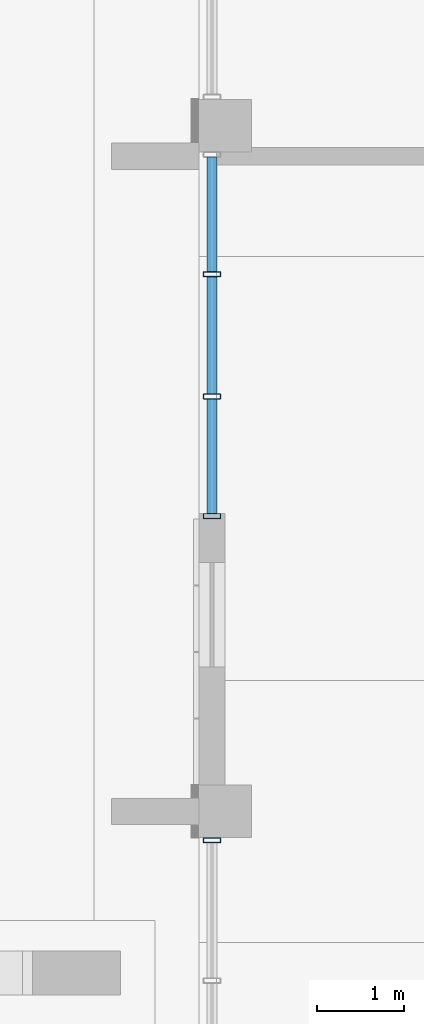
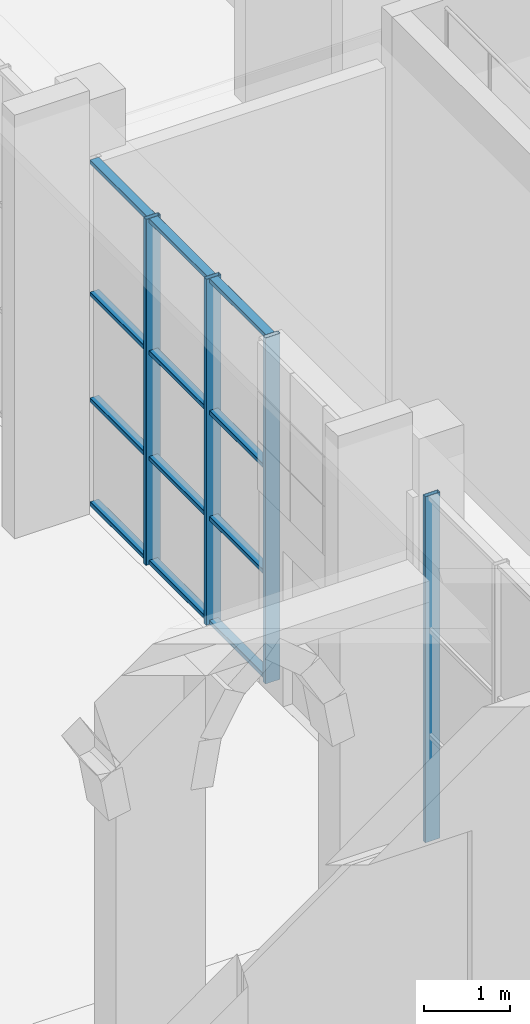
# One storey, part 30 of 125: 16 members, 2 elements without a shape of their own.
"""IFC4 building model written with IfcOpenShell, lengths in metres."""

from ifc_helpers import new_model, si_unit, direction, frame, origin, origin_2d, place, context, subcontext, project, spatial, hollow_rectangle, extrude, material, material_profile, profile_set, type_object, element, aggregate, save


model = new_model("IFC4")

# Units and contexts
model_context = context("Model", 3, precision=1e-05, world=origin(), true_north=direction((0.0, 1.0)))
body_context = subcontext(model_context, "Body", "Model", "MODEL_VIEW")
ifc_project = project(units=[si_unit("LENGTHUNIT", "METRE"), si_unit("AREAUNIT", "SQUARE_METRE"), si_unit("VOLUMEUNIT", "CUBIC_METRE"), si_unit("PLANEANGLEUNIT", "RADIAN"), si_unit("MASSUNIT", "GRAM", prefix="KILO")], contexts=[model_context])

# Site, building, storey
site_placement = place(None, origin())
site = spatial("IfcSite", under=ifc_project, at=site_placement, CompositionType="ELEMENT")
building_placement = place(site_placement, origin())
building = spatial("IfcBuilding", under=site, at=building_placement, Name="Sun Court Science Centre", CompositionType="ELEMENT")
storey_placement = place(building_placement, origin())
storey = spatial("IfcBuildingStorey", under=building, at=storey_placement, Name="L00", CompositionType="ELEMENT", Elevation=0.0)

# Curtain wall, member
ifc_material_1 = material(Name="Aluminium EN AW-6063 T6", Category="aluminium")
curtain_wall_type = type_object("IfcCurtainWallType", Name="Laboratory tall bay curtain wall 1500", PredefinedType="NOTDEFINED", material=ifc_material_1)
curtain_wall_1_placement = place(storey_placement, origin())
curtain_wall_1 = element("IfcCurtainWall", 1, at=curtain_wall_1_placement, inside=storey, type_object=curtain_wall_type, Name="Curtain wall V4 W L00 03", PredefinedType="NOTDEFINED")
ifc_material_2 = material(Name="Aluminium EN AW-6063 T6", Category="aluminium")
ifc_material_profile_1 = material_profile(ifc_material_2, hollow_rectangle(XDim=0.06005859375, YDim=0.199951171875, WallThickness=0.0048828125, InnerFilletRadius=0.0048828125, OuterFilletRadius=0.007568359375, at=origin_2d()), Name="AL 60x200x5")
ifc_profile_set_1 = profile_set([ifc_material_profile_1], Name="Aluminium EN AW-6063 T6")
member_type_1 = type_object("IfcMemberType", Name="Curtain wall mullion AL 60x200", PredefinedType="MULLION", material=ifc_profile_set_1)
member_1_placement = place(storey_placement, frame((78.14990234375, 35.669921875, 0.0), z_axis=(0.0, 0.0, 1.0), x_axis=(0.0, 1.0, 0.0)))
member_1 = element("IfcMember", 2, at=member_1_placement, type_object=member_type_1, Name="CW2-03 mullion 5", PredefinedType="MULLION", context=body_context, shape_type="SweptSolid", body=[
    extrude(hollow_rectangle(XDim=0.06005859375, YDim=0.199951171875, WallThickness=0.0048828125, InnerFilletRadius=0.0048828125, OuterFilletRadius=0.007568359375, at=origin_2d()), origin(), (0.0, 0.0, 1.0), 4.89990234375),
])
aggregate(curtain_wall_1, [member_1])

# Curtain wall, members
curtain_wall_2_placement = place(storey_placement, origin())
curtain_wall_2 = element("IfcCurtainWall", 3, at=curtain_wall_2_placement, inside=storey, type_object=curtain_wall_type, Name="Curtain wall V4 W L00 04", PredefinedType="NOTDEFINED")
member_2_placement = place(storey_placement, frame((78.14990234375, 39.3798828125, 0.0), z_axis=(0.0, 0.0, 1.0), x_axis=(0.0, 1.0, 0.0)))
member_2 = element("IfcMember", 4, at=member_2_placement, type_object=member_type_1, Name="CW2-04 mullion 1", PredefinedType="MULLION", context=body_context, shape_type="SweptSolid", body=[
    extrude(hollow_rectangle(XDim=0.06005859375, YDim=0.199951171875, WallThickness=0.0048828125, InnerFilletRadius=0.0048828125, OuterFilletRadius=0.007568359375, at=origin_2d()), origin(), (0.0, 0.0, 1.0), 4.89990234375),
])
member_3_placement = place(storey_placement, frame((78.14990234375, 40.75, 0.0), z_axis=(0.0, 0.0, 1.0), x_axis=(0.0, 1.0, 0.0)))
member_3 = element("IfcMember", 5, at=member_3_placement, type_object=member_type_1, Name="CW2-04 mullion 2", PredefinedType="MULLION", context=body_context, shape_type="SweptSolid", body=[
    extrude(hollow_rectangle(XDim=0.06005859375, YDim=0.199951171875, WallThickness=0.0048828125, InnerFilletRadius=0.0048828125, OuterFilletRadius=0.007568359375, at=origin_2d()), origin(), (0.0, 0.0, 1.0), 4.89990234375),
])
member_4_placement = place(storey_placement, frame((78.14990234375, 42.14990234375, 0.0), z_axis=(0.0, 0.0, 1.0), x_axis=(0.0, 1.0, 0.0)))
member_4 = element("IfcMember", 6, at=member_4_placement, type_object=member_type_1, Name="CW2-04 mullion 3", PredefinedType="MULLION", context=body_context, shape_type="SweptSolid", body=[
    extrude(hollow_rectangle(XDim=0.06005859375, YDim=0.199951171875, WallThickness=0.0048828125, InnerFilletRadius=0.0048828125, OuterFilletRadius=0.007568359375, at=origin_2d()), origin(), (0.0, 0.0, 1.0), 4.89990234375),
])
ifc_material_3 = material(Name="Aluminium EN AW-6063 T6", Category="aluminium")
ifc_material_profile_2 = material_profile(ifc_material_3, hollow_rectangle(XDim=0.06005859375, YDim=0.1201171875, WallThickness=0.00390625, InnerFilletRadius=0.00390625, OuterFilletRadius=0.006103515625, at=origin_2d()), Name="AL 60x120x4")
ifc_profile_set_2 = profile_set([ifc_material_profile_2], Name="Aluminium EN AW-6063 T6")
member_type_2 = type_object("IfcMemberType", Name="Curtain wall transom AL 60x120", PredefinedType="USERDEFINED", material=ifc_profile_set_2)
member_5_placement = place(storey_placement, frame((78.14990234375, 39.409912109375, 0.030029296875), z_axis=(0.0, 1.0, 0.0), x_axis=(0.0, 0.0, 1.0)))
member_5 = element("IfcMember", 7, at=member_5_placement, type_object=member_type_2, Name="CW2-04 transom 1.1", ObjectType="TRANSOM", PredefinedType="USERDEFINED", context=body_context, shape_type="SweptSolid", body=[
    extrude(hollow_rectangle(XDim=0.06005859375, YDim=0.1201171875, WallThickness=0.00390625, InnerFilletRadius=0.00390625, OuterFilletRadius=0.006103515625, at=origin_2d()), origin(), (0.0, 0.0, 1.0), 1.31005859375),
])
member_6_placement = place(storey_placement, frame((78.14990234375, 40.780029296875, 0.030029296875), z_axis=(0.0, 1.0, 0.0), x_axis=(0.0, 0.0, 1.0)))
member_6 = element("IfcMember", 8, at=member_6_placement, type_object=member_type_2, Name="CW2-04 transom 2.1", ObjectType="TRANSOM", PredefinedType="USERDEFINED", context=body_context, shape_type="SweptSolid", body=[
    extrude(hollow_rectangle(XDim=0.06005859375, YDim=0.1201171875, WallThickness=0.00390625, InnerFilletRadius=0.00390625, OuterFilletRadius=0.006103515625, at=origin_2d()), origin(), (0.0, 0.0, 1.0), 1.340087890625),
])
member_7_placement = place(storey_placement, frame((78.14990234375, 42.179931640625, 0.030029296875), z_axis=(0.0, 1.0, 0.0), x_axis=(0.0, 0.0, 1.0)))
member_7 = element("IfcMember", 9, at=member_7_placement, type_object=member_type_2, Name="CW2-04 transom 3.1", ObjectType="TRANSOM", PredefinedType="USERDEFINED", context=body_context, shape_type="SweptSolid", body=[
    extrude(hollow_rectangle(XDim=0.06005859375, YDim=0.1201171875, WallThickness=0.00390625, InnerFilletRadius=0.00390625, OuterFilletRadius=0.006103515625, at=origin_2d()), origin(), (0.0, 0.0, 1.0), 1.31005859375),
])
member_8_placement = place(storey_placement, frame((78.14990234375, 39.409912109375, 1.5), z_axis=(0.0, 1.0, 0.0), x_axis=(0.0, 0.0, 1.0)))
member_8 = element("IfcMember", 10, at=member_8_placement, type_object=member_type_2, Name="CW2-04 transom 1.2", ObjectType="TRANSOM", PredefinedType="USERDEFINED", context=body_context, shape_type="SweptSolid", body=[
    extrude(hollow_rectangle(XDim=0.06005859375, YDim=0.1201171875, WallThickness=0.00390625, InnerFilletRadius=0.00390625, OuterFilletRadius=0.006103515625, at=origin_2d()), origin(), (0.0, 0.0, 1.0), 1.31005859375),
])
member_9_placement = place(storey_placement, frame((78.14990234375, 40.780029296875, 1.5), z_axis=(0.0, 1.0, 0.0), x_axis=(0.0, 0.0, 1.0)))
member_9 = element("IfcMember", 11, at=member_9_placement, type_object=member_type_2, Name="CW2-04 transom 2.2", ObjectType="TRANSOM", PredefinedType="USERDEFINED", context=body_context, shape_type="SweptSolid", body=[
    extrude(hollow_rectangle(XDim=0.06005859375, YDim=0.1201171875, WallThickness=0.00390625, InnerFilletRadius=0.00390625, OuterFilletRadius=0.006103515625, at=origin_2d()), origin(), (0.0, 0.0, 1.0), 1.340087890625),
])
member_10_placement = place(storey_placement, frame((78.14990234375, 42.179931640625, 1.5), z_axis=(0.0, 1.0, 0.0), x_axis=(0.0, 0.0, 1.0)))
member_10 = element("IfcMember", 12, at=member_10_placement, type_object=member_type_2, Name="CW2-04 transom 3.2", ObjectType="TRANSOM", PredefinedType="USERDEFINED", context=body_context, shape_type="SweptSolid", body=[
    extrude(hollow_rectangle(XDim=0.06005859375, YDim=0.1201171875, WallThickness=0.00390625, InnerFilletRadius=0.00390625, OuterFilletRadius=0.006103515625, at=origin_2d()), origin(), (0.0, 0.0, 1.0), 1.31005859375),
])
member_11_placement = place(storey_placement, frame((78.14990234375, 39.409912109375, 3.0), z_axis=(0.0, 1.0, 0.0), x_axis=(0.0, 0.0, 1.0)))
member_11 = element("IfcMember", 13, at=member_11_placement, type_object=member_type_2, Name="CW2-04 transom 1.3", ObjectType="TRANSOM", PredefinedType="USERDEFINED", context=body_context, shape_type="SweptSolid", body=[
    extrude(hollow_rectangle(XDim=0.06005859375, YDim=0.1201171875, WallThickness=0.00390625, InnerFilletRadius=0.00390625, OuterFilletRadius=0.006103515625, at=origin_2d()), origin(), (0.0, 0.0, 1.0), 1.31005859375),
])
member_12_placement = place(storey_placement, frame((78.14990234375, 40.780029296875, 3.0), z_axis=(0.0, 1.0, 0.0), x_axis=(0.0, 0.0, 1.0)))
member_12 = element("IfcMember", 14, at=member_12_placement, type_object=member_type_2, Name="CW2-04 transom 2.3", ObjectType="TRANSOM", PredefinedType="USERDEFINED", context=body_context, shape_type="SweptSolid", body=[
    extrude(hollow_rectangle(XDim=0.06005859375, YDim=0.1201171875, WallThickness=0.00390625, InnerFilletRadius=0.00390625, OuterFilletRadius=0.006103515625, at=origin_2d()), origin(), (0.0, 0.0, 1.0), 1.340087890625),
])
member_13_placement = place(storey_placement, frame((78.14990234375, 42.179931640625, 3.0), z_axis=(0.0, 1.0, 0.0), x_axis=(0.0, 0.0, 1.0)))
member_13 = element("IfcMember", 15, at=member_13_placement, type_object=member_type_2, Name="CW2-04 transom 3.3", ObjectType="TRANSOM", PredefinedType="USERDEFINED", context=body_context, shape_type="SweptSolid", body=[
    extrude(hollow_rectangle(XDim=0.06005859375, YDim=0.1201171875, WallThickness=0.00390625, InnerFilletRadius=0.00390625, OuterFilletRadius=0.006103515625, at=origin_2d()), origin(), (0.0, 0.0, 1.0), 1.31005859375),
])
member_14_placement = place(storey_placement, frame((78.14990234375, 39.409912109375, 4.8701171875), z_axis=(0.0, 1.0, 0.0), x_axis=(0.0, 0.0, 1.0)))
member_14 = element("IfcMember", 16, at=member_14_placement, type_object=member_type_2, Name="CW2-04 transom 1.4", ObjectType="TRANSOM", PredefinedType="USERDEFINED", context=body_context, shape_type="SweptSolid", body=[
    extrude(hollow_rectangle(XDim=0.06005859375, YDim=0.1201171875, WallThickness=0.00390625, InnerFilletRadius=0.00390625, OuterFilletRadius=0.006103515625, at=origin_2d()), origin(), (0.0, 0.0, 1.0), 1.31005859375),
])
member_15_placement = place(storey_placement, frame((78.14990234375, 40.780029296875, 4.8701171875), z_axis=(0.0, 1.0, 0.0), x_axis=(0.0, 0.0, 1.0)))
member_15 = element("IfcMember", 17, at=member_15_placement, type_object=member_type_2, Name="CW2-04 transom 2.4", ObjectType="TRANSOM", PredefinedType="USERDEFINED", context=body_context, shape_type="SweptSolid", body=[
    extrude(hollow_rectangle(XDim=0.06005859375, YDim=0.1201171875, WallThickness=0.00390625, InnerFilletRadius=0.00390625, OuterFilletRadius=0.006103515625, at=origin_2d()), origin(), (0.0, 0.0, 1.0), 1.340087890625),
])
member_16_placement = place(storey_placement, frame((78.14990234375, 42.179931640625, 4.8701171875), z_axis=(0.0, 1.0, 0.0), x_axis=(0.0, 0.0, 1.0)))
member_16 = element("IfcMember", 18, at=member_16_placement, type_object=member_type_2, Name="CW2-04 transom 3.4", ObjectType="TRANSOM", PredefinedType="USERDEFINED", context=body_context, shape_type="SweptSolid", body=[
    extrude(hollow_rectangle(XDim=0.06005859375, YDim=0.1201171875, WallThickness=0.00390625, InnerFilletRadius=0.00390625, OuterFilletRadius=0.006103515625, at=origin_2d()), origin(), (0.0, 0.0, 1.0), 1.31005859375),
])
aggregate(curtain_wall_2, [member_2, member_3, member_4, member_5, member_6, member_7, member_8, member_9, member_10, member_11, member_12, member_13, member_14, member_15, member_16])

save(model, "model.ifc")
